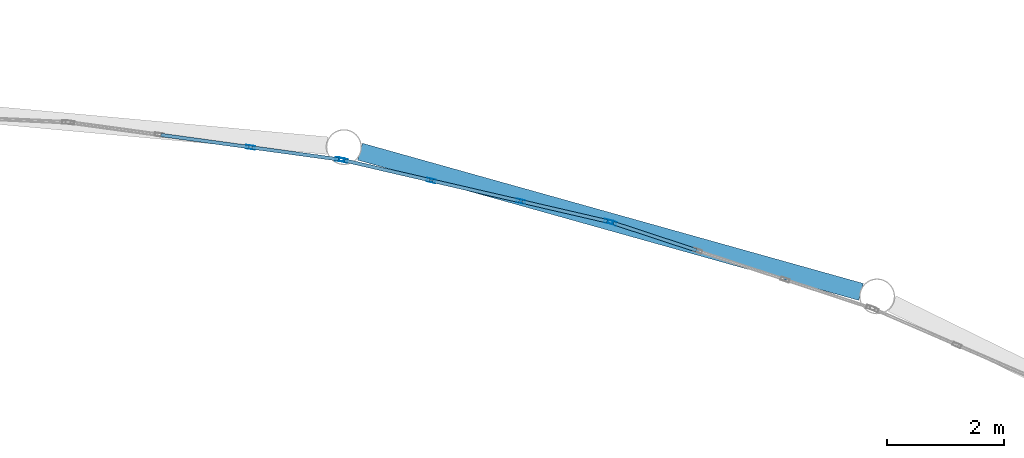
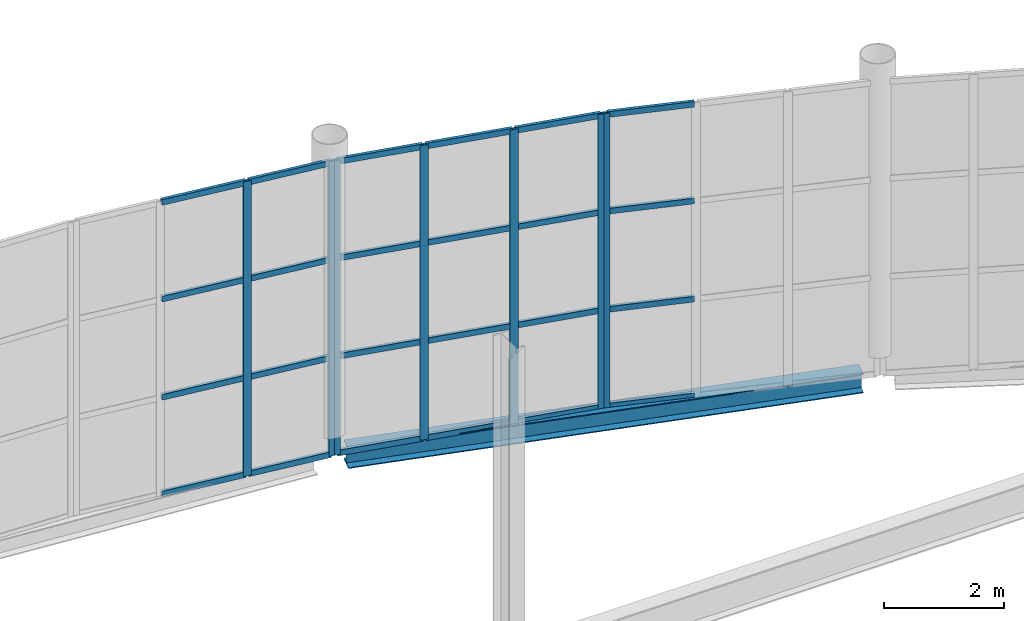
# One storey, part 120 of 191: 31 members, 1 beam, 3 elements without a shape of their own.
"""IFC4 building model written with IfcOpenShell, lengths in metres."""

from ifc_helpers import new_model, si_unit, direction, frame, origin, origin_2d, place, context, subcontext, project, spatial, hollow_rectangle, i_section, extrude, material, layer, layer_set, material_profile, profile_set, type_object, element, aggregate, save


model = new_model("IFC4")

# Units and contexts
model_context = context("Model", 3, precision=1e-05, world=origin(), true_north=direction((0.0, 1.0)))
body_context = subcontext(model_context, "Body", "Model", "MODEL_VIEW")
ifc_project = project(units=[si_unit("LENGTHUNIT", "METRE"), si_unit("AREAUNIT", "SQUARE_METRE"), si_unit("VOLUMEUNIT", "CUBIC_METRE"), si_unit("PLANEANGLEUNIT", "RADIAN"), si_unit("MASSUNIT", "GRAM", prefix="KILO")], contexts=[model_context])

# Site, building, storey
site_placement = place(None, origin())
site = spatial("IfcSite", under=ifc_project, at=site_placement, CompositionType="ELEMENT")
building_placement = place(site_placement, origin())
building = spatial("IfcBuilding", under=site, at=building_placement, Name="Tamarisk Ironworks Central Station", CompositionType="ELEMENT")
storey_placement = place(building_placement, frame((0.0, 0.0, 6.60009765625)))
storey = spatial("IfcBuildingStorey", under=building, at=storey_placement, Name="L01", CompositionType="ELEMENT", Elevation=6.60009765625)

# Beam
ifc_material_1 = material(Name="Structural steel S355J2", Category="steel")
ifc_material_profile_1 = material_profile(ifc_material_1, i_section(OverallWidth=0.300048828125, OverallDepth=0.389892578125, WebThickness=0.010986328125, FlangeThickness=0.01904296875, at=origin_2d()), Name="HEA 400")
ifc_profile_set_1 = profile_set([ifc_material_profile_1], Name="Structural steel S355J2")
beam_type = type_object("IfcBeamType", Name="BM-G07", PredefinedType="BEAM", material=ifc_profile_set_1)
beam_placement = place(storey_placement, frame((90.685302734375, 118.223388671875, -0.5751953125), z_axis=(0.962975154525, -0.269590155174, 0.0), x_axis=(0.269590155174, 0.962975154525, 0.0)))
element("IfcBeam", 1, at=beam_placement, inside=storey, type_object=beam_type, Name="NN rounded nose L01 chord girder 033", PredefinedType="BEAM", context=body_context, shape_type="SweptSolid", body=[
    extrude(i_section(OverallWidth=0.300048828125, OverallDepth=0.389892578125, WebThickness=0.010986328125, FlangeThickness=0.01904296875, at=origin_2d()), origin(), (0.0, 0.0, 1.0), 8.88037109375),
])

# Curtain wall, members
ifc_material_2 = material(Name="Anodized aluminium alloy 6063-T6", Category="aluminium")
ifc_layer = layer(ifc_material_2, 0.179931640625)
ifc_layer_set = layer_set([ifc_layer], Name="Anodized aluminium alloy 6063-T6")
curtain_wall_type = type_object("IfcCurtainWallType", Name="CW-02", PredefinedType="USERDEFINED", material=ifc_layer_set)
curtain_wall_1_placement = place(storey_placement, origin())
curtain_wall_1 = element("IfcCurtainWall", 2, at=curtain_wall_1_placement, inside=storey, type_object=curtain_wall_type, Name="NN rounded entrance hall L01 curtain wall bay 08", ObjectType="GLAZED CURTAIN WALL", PredefinedType="USERDEFINED")
ifc_material_profile_2 = material_profile(ifc_material_2, hollow_rectangle(XDim=0.06005859375, YDim=0.14990234375, WallThickness=0.00341796875, at=origin_2d()), Name="ALUM 150x60")
ifc_profile_set_2 = profile_set([ifc_material_profile_2], Name="Anodized aluminium alloy 6063-T6")
member_type_1 = type_object("IfcMemberType", Name="CWM-03", PredefinedType="MULLION", material=ifc_profile_set_2)
member_1_placement = place(storey_placement, frame((88.8154296875, 118.297607421875, -0.385009765625), z_axis=(0.0, 0.0, 1.0), x_axis=(0.136041725218, 0.990703108403, 0.0)))
member_1 = element("IfcMember", 3, at=member_1_placement, type_object=member_type_1, Name="CW02 mullion 3", PredefinedType="MULLION", context=body_context, shape_type="SweptSolid", body=[
    extrude(hollow_rectangle(XDim=0.06005859375, YDim=0.14990234375, WallThickness=0.00341796875, at=origin_2d()), origin(), (0.0, 0.0, 1.0), 6.0048828125),
])
member_2_placement = place(storey_placement, frame((90.3408203125, 118.088134765625, -0.385009765625), z_axis=(0.0, 0.0, 1.0), x_axis=(0.136041725218, 0.990703108403, 0.0)))
member_2 = element("IfcMember", 4, at=member_2_placement, type_object=member_type_1, Name="CW02 mullion 4", PredefinedType="MULLION", context=body_context, shape_type="SweptSolid", body=[
    extrude(hollow_rectangle(XDim=0.06005859375, YDim=0.14990234375, WallThickness=0.00341796875, at=origin_2d()), origin(), (0.0, 0.0, 1.0), 6.0048828125),
])

curtain_wall_2_placement = place(storey_placement, origin())
curtain_wall_2 = element("IfcCurtainWall", 5, at=curtain_wall_2_placement, inside=storey, type_object=curtain_wall_type, Name="NN rounded entrance hall L01 curtain wall bay 09", ObjectType="GLAZED CURTAIN WALL", PredefinedType="USERDEFINED")
member_3_placement = place(storey_placement, frame((90.39990234375, 118.077392578125, -0.385009765625), z_axis=(0.0, 0.0, 1.0), x_axis=(0.225516966506, 0.974239240545, 0.0)))
member_3 = element("IfcMember", 6, at=member_3_placement, type_object=member_type_1, Name="CW02 mullion 1", PredefinedType="MULLION", context=body_context, shape_type="SweptSolid", body=[
    extrude(hollow_rectangle(XDim=0.06005859375, YDim=0.14990234375, WallThickness=0.00341796875, at=origin_2d()), origin(), (0.0, 0.0, 1.0), 6.0048828125),
])
member_4_placement = place(storey_placement, frame((91.900146484375, 117.72998046875, -0.385009765625), z_axis=(0.0, 0.0, 1.0), x_axis=(0.225516966506, 0.974239240545, 0.0)))
member_4 = element("IfcMember", 7, at=member_4_placement, type_object=member_type_1, Name="CW02 mullion 2", PredefinedType="MULLION", context=body_context, shape_type="SweptSolid", body=[
    extrude(hollow_rectangle(XDim=0.06005859375, YDim=0.14990234375, WallThickness=0.00341796875, at=origin_2d()), origin(), (0.0, 0.0, 1.0), 6.0048828125),
])
member_5_placement = place(storey_placement, frame((93.429443359375, 117.3759765625, -0.385009765625), z_axis=(0.0, 0.0, 1.0), x_axis=(0.225516966506, 0.974239240545, 0.0)))
member_5 = element("IfcMember", 8, at=member_5_placement, type_object=member_type_1, Name="CW02 mullion 3", PredefinedType="MULLION", context=body_context, shape_type="SweptSolid", body=[
    extrude(hollow_rectangle(XDim=0.06005859375, YDim=0.14990234375, WallThickness=0.00341796875, at=origin_2d()), origin(), (0.0, 0.0, 1.0), 6.0048828125),
])
member_6_placement = place(storey_placement, frame((94.9296875, 117.02880859375, -0.385009765625), z_axis=(0.0, 0.0, 1.0), x_axis=(0.225516966506, 0.974239240545, 0.0)))
member_6 = element("IfcMember", 9, at=member_6_placement, type_object=member_type_1, Name="CW02 mullion 4", PredefinedType="MULLION", context=body_context, shape_type="SweptSolid", body=[
    extrude(hollow_rectangle(XDim=0.06005859375, YDim=0.14990234375, WallThickness=0.00341796875, at=origin_2d()), origin(), (0.0, 0.0, 1.0), 6.0048828125),
])

# Curtain wall, member
curtain_wall_3_placement = place(storey_placement, origin())
curtain_wall_3 = element("IfcCurtainWall", 10, at=curtain_wall_3_placement, inside=storey, type_object=curtain_wall_type, Name="NN rounded entrance hall L01 curtain wall bay 10", ObjectType="GLAZED CURTAIN WALL", PredefinedType="USERDEFINED")
member_7_placement = place(storey_placement, frame((94.9873046875, 117.0126953125, -0.385009765625), z_axis=(0.0, 0.0, 1.0), x_axis=(0.313098460171, 0.949720671692, 0.0)))
member_7 = element("IfcMember", 11, at=member_7_placement, type_object=member_type_1, Name="CW02 mullion 1", PredefinedType="MULLION", context=body_context, shape_type="SweptSolid", body=[
    extrude(hollow_rectangle(XDim=0.06005859375, YDim=0.14990234375, WallThickness=0.00341796875, at=origin_2d()), origin(), (0.0, 0.0, 1.0), 6.0048828125),
])

# Member
ifc_material_profile_3 = material_profile(ifc_material_2, hollow_rectangle(XDim=0.06005859375, YDim=0.114990234375, WallThickness=0.00341796875, at=origin_2d()), Name="ALUM 115x60")
ifc_profile_set_3 = profile_set([ifc_material_profile_3], Name="Anodized aluminium alloy 6063-T6")
member_type_2 = type_object("IfcMemberType", Name="CWT-03", PredefinedType="USERDEFINED", material=ifc_profile_set_3)
member_8_placement = place(storey_placement, frame((87.285888671875, 118.5078125, -0.35498046875), z_axis=(0.990697552756, -0.136082177242, 0.0), x_axis=(0.136082177242, 0.990697552756, 0.0)))
member_8 = element("IfcMember", 12, at=member_8_placement, type_object=member_type_2, Name="CW02 transom 2.1", ObjectType="TRANSOM", PredefinedType="USERDEFINED", context=body_context, shape_type="SweptSolid", body=[
    extrude(hollow_rectangle(XDim=0.06005859375, YDim=0.114990234375, WallThickness=0.00341796875, at=origin_2d()), origin(), (0.0, 0.0, 1.0), 1.517822265625),
])

member_9_placement = place(storey_placement, frame((87.285888671875, 118.5078125, 1.61669921875), z_axis=(0.990697552756, -0.136082177242, 0.0), x_axis=(0.136082177242, 0.990697552756, 0.0)))
member_9 = element("IfcMember", 13, at=member_9_placement, type_object=member_type_2, Name="CW02 transom 2.2", ObjectType="TRANSOM", PredefinedType="USERDEFINED", context=body_context, shape_type="SweptSolid", body=[
    extrude(hollow_rectangle(XDim=0.06005859375, YDim=0.114990234375, WallThickness=0.00341796875, at=origin_2d()), origin(), (0.0, 0.0, 1.0), 1.517822265625),
])

member_10_placement = place(storey_placement, frame((87.285888671875, 118.5078125, 3.6181640625), z_axis=(0.990697552756, -0.136082177242, 0.0), x_axis=(0.136082177242, 0.990697552756, 0.0)))
member_10 = element("IfcMember", 14, at=member_10_placement, type_object=member_type_2, Name="CW02 transom 2.3", ObjectType="TRANSOM", PredefinedType="USERDEFINED", context=body_context, shape_type="SweptSolid", body=[
    extrude(hollow_rectangle(XDim=0.06005859375, YDim=0.114990234375, WallThickness=0.00341796875, at=origin_2d()), origin(), (0.0, 0.0, 1.0), 1.517822265625),
])

member_11_placement = place(storey_placement, frame((87.285888671875, 118.5078125, 5.58984375), z_axis=(0.990697552756, -0.136082177242, 0.0), x_axis=(0.136082177242, 0.990697552756, 0.0)))
member_11 = element("IfcMember", 15, at=member_11_placement, type_object=member_type_2, Name="CW02 transom 2.4", ObjectType="TRANSOM", PredefinedType="USERDEFINED", context=body_context, shape_type="SweptSolid", body=[
    extrude(hollow_rectangle(XDim=0.06005859375, YDim=0.114990234375, WallThickness=0.00341796875, at=origin_2d()), origin(), (0.0, 0.0, 1.0), 1.517822265625),
])

member_12_placement = place(storey_placement, frame((88.841064453125, 118.294189453125, -0.35498046875), z_axis=(0.99070594436, -0.136021071195, 0.0), x_axis=(0.136021071195, 0.99070594436, 0.0)))
member_12 = element("IfcMember", 16, at=member_12_placement, type_object=member_type_2, Name="CW02 transom 3.1", ObjectType="TRANSOM", PredefinedType="USERDEFINED", context=body_context, shape_type="SweptSolid", body=[
    extrude(hollow_rectangle(XDim=0.06005859375, YDim=0.114990234375, WallThickness=0.00341796875, at=origin_2d()), origin(), (0.0, 0.0, 1.0), 1.488037109375),
])

member_13_placement = place(storey_placement, frame((88.841064453125, 118.294189453125, 1.61669921875), z_axis=(0.99070594436, -0.136021071195, 0.0), x_axis=(0.136021071195, 0.99070594436, 0.0)))
member_13 = element("IfcMember", 17, at=member_13_placement, type_object=member_type_2, Name="CW02 transom 3.2", ObjectType="TRANSOM", PredefinedType="USERDEFINED", context=body_context, shape_type="SweptSolid", body=[
    extrude(hollow_rectangle(XDim=0.06005859375, YDim=0.114990234375, WallThickness=0.00341796875, at=origin_2d()), origin(), (0.0, 0.0, 1.0), 1.488037109375),
])

member_14_placement = place(storey_placement, frame((88.841064453125, 118.294189453125, 3.6181640625), z_axis=(0.99070594436, -0.136021071195, 0.0), x_axis=(0.136021071195, 0.99070594436, 0.0)))
member_14 = element("IfcMember", 18, at=member_14_placement, type_object=member_type_2, Name="CW02 transom 3.3", ObjectType="TRANSOM", PredefinedType="USERDEFINED", context=body_context, shape_type="SweptSolid", body=[
    extrude(hollow_rectangle(XDim=0.06005859375, YDim=0.114990234375, WallThickness=0.00341796875, at=origin_2d()), origin(), (0.0, 0.0, 1.0), 1.488037109375),
])

member_15_placement = place(storey_placement, frame((88.841064453125, 118.294189453125, 5.58984375), z_axis=(0.99070594436, -0.136021071195, 0.0), x_axis=(0.136021071195, 0.99070594436, 0.0)))
member_15 = element("IfcMember", 19, at=member_15_placement, type_object=member_type_2, Name="CW02 transom 3.4", ObjectType="TRANSOM", PredefinedType="USERDEFINED", context=body_context, shape_type="SweptSolid", body=[
    extrude(hollow_rectangle(XDim=0.06005859375, YDim=0.114990234375, WallThickness=0.00341796875, at=origin_2d()), origin(), (0.0, 0.0, 1.0), 1.488037109375),
])

aggregate(curtain_wall_1, [member_1, member_2, member_8, member_9, member_10, member_11, member_12, member_13, member_14, member_15])

member_16_placement = place(storey_placement, frame((90.425048828125, 118.071533203125, -0.35498046875), z_axis=(0.974222247243, -0.225590365436, 0.0), x_axis=(0.225590365436, 0.974222247243, 0.0)))
member_16 = element("IfcMember", 20, at=member_16_placement, type_object=member_type_2, Name="CW02 transom 1.1", ObjectType="TRANSOM", PredefinedType="USERDEFINED", context=body_context, shape_type="SweptSolid", body=[
    extrude(hollow_rectangle(XDim=0.06005859375, YDim=0.114990234375, WallThickness=0.00341796875, at=origin_2d()), origin(), (0.0, 0.0, 1.0), 1.488037109375),
])

member_17_placement = place(storey_placement, frame((90.425048828125, 118.071533203125, 1.61669921875), z_axis=(0.974222247243, -0.225590365436, 0.0), x_axis=(0.225590365436, 0.974222247243, 0.0)))
member_17 = element("IfcMember", 21, at=member_17_placement, type_object=member_type_2, Name="CW02 transom 1.2", ObjectType="TRANSOM", PredefinedType="USERDEFINED", context=body_context, shape_type="SweptSolid", body=[
    extrude(hollow_rectangle(XDim=0.06005859375, YDim=0.114990234375, WallThickness=0.00341796875, at=origin_2d()), origin(), (0.0, 0.0, 1.0), 1.488037109375),
])

member_18_placement = place(storey_placement, frame((90.425048828125, 118.071533203125, 3.6181640625), z_axis=(0.974222247243, -0.225590365436, 0.0), x_axis=(0.225590365436, 0.974222247243, 0.0)))
member_18 = element("IfcMember", 22, at=member_18_placement, type_object=member_type_2, Name="CW02 transom 1.3", ObjectType="TRANSOM", PredefinedType="USERDEFINED", context=body_context, shape_type="SweptSolid", body=[
    extrude(hollow_rectangle(XDim=0.06005859375, YDim=0.114990234375, WallThickness=0.00341796875, at=origin_2d()), origin(), (0.0, 0.0, 1.0), 1.488037109375),
])

member_19_placement = place(storey_placement, frame((90.425048828125, 118.071533203125, 5.58984375), z_axis=(0.974222247243, -0.225590365436, 0.0), x_axis=(0.225590365436, 0.974222247243, 0.0)))
member_19 = element("IfcMember", 23, at=member_19_placement, type_object=member_type_2, Name="CW02 transom 1.4", ObjectType="TRANSOM", PredefinedType="USERDEFINED", context=body_context, shape_type="SweptSolid", body=[
    extrude(hollow_rectangle(XDim=0.06005859375, YDim=0.114990234375, WallThickness=0.00341796875, at=origin_2d()), origin(), (0.0, 0.0, 1.0), 1.488037109375),
])

member_20_placement = place(storey_placement, frame((91.92529296875, 117.72412109375, -0.35498046875), z_axis=(0.974241883029, -0.225505550604, 0.0), x_axis=(0.225505550604, 0.974241883029, 0.0)))
member_20 = element("IfcMember", 24, at=member_20_placement, type_object=member_type_2, Name="CW02 transom 2.1", ObjectType="TRANSOM", PredefinedType="USERDEFINED", context=body_context, shape_type="SweptSolid", body=[
    extrude(hollow_rectangle(XDim=0.06005859375, YDim=0.114990234375, WallThickness=0.00341796875, at=origin_2d()), origin(), (0.0, 0.0, 1.0), 1.517822265625),
])

member_21_placement = place(storey_placement, frame((91.92529296875, 117.72412109375, 1.61669921875), z_axis=(0.974241883029, -0.225505550604, 0.0), x_axis=(0.225505550604, 0.974241883029, 0.0)))
member_21 = element("IfcMember", 25, at=member_21_placement, type_object=member_type_2, Name="CW02 transom 2.2", ObjectType="TRANSOM", PredefinedType="USERDEFINED", context=body_context, shape_type="SweptSolid", body=[
    extrude(hollow_rectangle(XDim=0.06005859375, YDim=0.114990234375, WallThickness=0.00341796875, at=origin_2d()), origin(), (0.0, 0.0, 1.0), 1.517822265625),
])

member_22_placement = place(storey_placement, frame((91.92529296875, 117.72412109375, 3.6181640625), z_axis=(0.974241883029, -0.225505550604, 0.0), x_axis=(0.225505550604, 0.974241883029, 0.0)))
member_22 = element("IfcMember", 26, at=member_22_placement, type_object=member_type_2, Name="CW02 transom 2.3", ObjectType="TRANSOM", PredefinedType="USERDEFINED", context=body_context, shape_type="SweptSolid", body=[
    extrude(hollow_rectangle(XDim=0.06005859375, YDim=0.114990234375, WallThickness=0.00341796875, at=origin_2d()), origin(), (0.0, 0.0, 1.0), 1.517822265625),
])

member_23_placement = place(storey_placement, frame((91.92529296875, 117.72412109375, 5.58984375), z_axis=(0.974241883029, -0.225505550604, 0.0), x_axis=(0.225505550604, 0.974241883029, 0.0)))
member_23 = element("IfcMember", 27, at=member_23_placement, type_object=member_type_2, Name="CW02 transom 2.4", ObjectType="TRANSOM", PredefinedType="USERDEFINED", context=body_context, shape_type="SweptSolid", body=[
    extrude(hollow_rectangle(XDim=0.06005859375, YDim=0.114990234375, WallThickness=0.00341796875, at=origin_2d()), origin(), (0.0, 0.0, 1.0), 1.517822265625),
])

member_24_placement = place(storey_placement, frame((93.454833984375, 117.3701171875, -0.35498046875), z_axis=(0.974249953444, -0.225470681494, 0.0), x_axis=(0.225470681494, 0.974249953444, 0.0)))
member_24 = element("IfcMember", 28, at=member_24_placement, type_object=member_type_2, Name="CW02 transom 3.1", ObjectType="TRANSOM", PredefinedType="USERDEFINED", context=body_context, shape_type="SweptSolid", body=[
    extrude(hollow_rectangle(XDim=0.06005859375, YDim=0.114990234375, WallThickness=0.00341796875, at=origin_2d()), origin(), (0.0, 0.0, 1.0), 1.48779296875),
])

member_25_placement = place(storey_placement, frame((93.454833984375, 117.3701171875, 1.61669921875), z_axis=(0.974249953444, -0.225470681494, 0.0), x_axis=(0.225470681494, 0.974249953444, 0.0)))
member_25 = element("IfcMember", 29, at=member_25_placement, type_object=member_type_2, Name="CW02 transom 3.2", ObjectType="TRANSOM", PredefinedType="USERDEFINED", context=body_context, shape_type="SweptSolid", body=[
    extrude(hollow_rectangle(XDim=0.06005859375, YDim=0.114990234375, WallThickness=0.00341796875, at=origin_2d()), origin(), (0.0, 0.0, 1.0), 1.48779296875),
])

member_26_placement = place(storey_placement, frame((93.454833984375, 117.3701171875, 3.6181640625), z_axis=(0.974249953444, -0.225470681494, 0.0), x_axis=(0.225470681494, 0.974249953444, 0.0)))
member_26 = element("IfcMember", 30, at=member_26_placement, type_object=member_type_2, Name="CW02 transom 3.3", ObjectType="TRANSOM", PredefinedType="USERDEFINED", context=body_context, shape_type="SweptSolid", body=[
    extrude(hollow_rectangle(XDim=0.06005859375, YDim=0.114990234375, WallThickness=0.00341796875, at=origin_2d()), origin(), (0.0, 0.0, 1.0), 1.48779296875),
])

member_27_placement = place(storey_placement, frame((93.454833984375, 117.3701171875, 5.58984375), z_axis=(0.974249953444, -0.225470681494, 0.0), x_axis=(0.225470681494, 0.974249953444, 0.0)))
member_27 = element("IfcMember", 31, at=member_27_placement, type_object=member_type_2, Name="CW02 transom 3.4", ObjectType="TRANSOM", PredefinedType="USERDEFINED", context=body_context, shape_type="SweptSolid", body=[
    extrude(hollow_rectangle(XDim=0.06005859375, YDim=0.114990234375, WallThickness=0.00341796875, at=origin_2d()), origin(), (0.0, 0.0, 1.0), 1.48779296875),
])

aggregate(curtain_wall_2, [member_3, member_4, member_5, member_6, member_16, member_17, member_18, member_19, member_20, member_21, member_22, member_23, member_24, member_25, member_26, member_27])

member_28_placement = place(storey_placement, frame((95.011962890625, 117.00439453125, -0.35498046875), z_axis=(0.949744294942, -0.31302679474, 0.0), x_axis=(0.31302679474, 0.949744294942, 0.0)))
member_28 = element("IfcMember", 32, at=member_28_placement, type_object=member_type_2, Name="CW02 transom 1.1", ObjectType="TRANSOM", PredefinedType="USERDEFINED", context=body_context, shape_type="SweptSolid", body=[
    extrude(hollow_rectangle(XDim=0.06005859375, YDim=0.114990234375, WallThickness=0.00341796875, at=origin_2d()), origin(), (0.0, 0.0, 1.0), 1.488037109375),
])

member_29_placement = place(storey_placement, frame((95.011962890625, 117.00439453125, 1.61669921875), z_axis=(0.949744294942, -0.31302679474, 0.0), x_axis=(0.31302679474, 0.949744294942, 0.0)))
member_29 = element("IfcMember", 33, at=member_29_placement, type_object=member_type_2, Name="CW02 transom 1.2", ObjectType="TRANSOM", PredefinedType="USERDEFINED", context=body_context, shape_type="SweptSolid", body=[
    extrude(hollow_rectangle(XDim=0.06005859375, YDim=0.114990234375, WallThickness=0.00341796875, at=origin_2d()), origin(), (0.0, 0.0, 1.0), 1.488037109375),
])

member_30_placement = place(storey_placement, frame((95.011962890625, 117.00439453125, 3.6181640625), z_axis=(0.949744294942, -0.31302679474, 0.0), x_axis=(0.31302679474, 0.949744294942, 0.0)))
member_30 = element("IfcMember", 34, at=member_30_placement, type_object=member_type_2, Name="CW02 transom 1.3", ObjectType="TRANSOM", PredefinedType="USERDEFINED", context=body_context, shape_type="SweptSolid", body=[
    extrude(hollow_rectangle(XDim=0.06005859375, YDim=0.114990234375, WallThickness=0.00341796875, at=origin_2d()), origin(), (0.0, 0.0, 1.0), 1.488037109375),
])

member_31_placement = place(storey_placement, frame((95.011962890625, 117.00439453125, 5.58984375), z_axis=(0.949744294942, -0.31302679474, 0.0), x_axis=(0.31302679474, 0.949744294942, 0.0)))
member_31 = element("IfcMember", 35, at=member_31_placement, type_object=member_type_2, Name="CW02 transom 1.4", ObjectType="TRANSOM", PredefinedType="USERDEFINED", context=body_context, shape_type="SweptSolid", body=[
    extrude(hollow_rectangle(XDim=0.06005859375, YDim=0.114990234375, WallThickness=0.00341796875, at=origin_2d()), origin(), (0.0, 0.0, 1.0), 1.488037109375),
])

aggregate(curtain_wall_3, [member_7, member_28, member_29, member_30, member_31])

save(model, "model.ifc")
